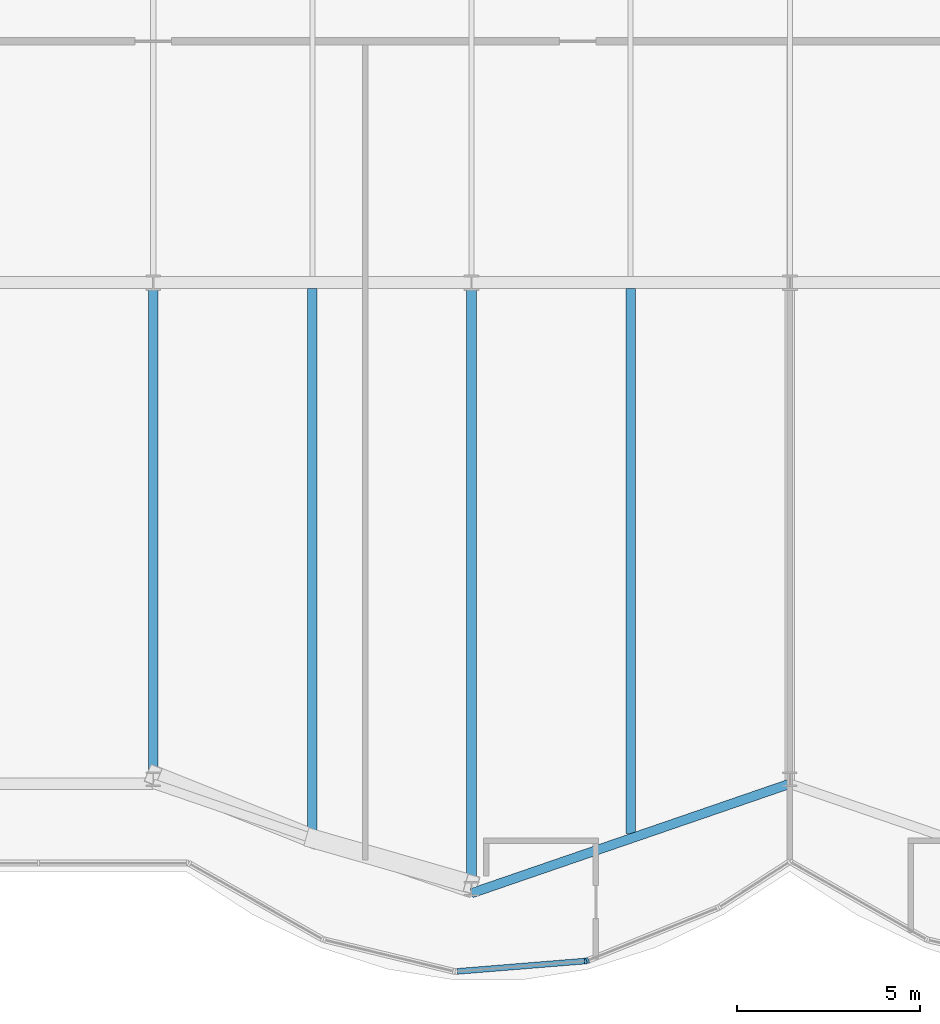
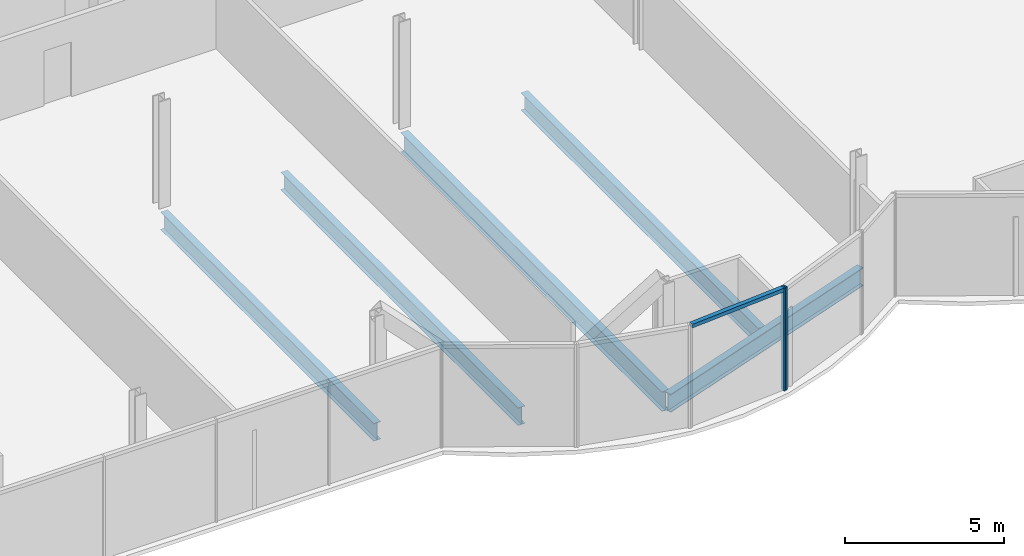
# One storey, part 5 of 21: 5 beams, 3 members, 1 element without a shape of its own.
"""IFC4 building model written with IfcOpenShell, lengths in metres."""

from ifc_helpers import new_model, si_unit, direction, frame, origin, origin_2d, place, context, subcontext, project, spatial, rectangle, i_section, extrude, material, material_profile, profile_set, type_object, element, aggregate, save


model = new_model("IFC4")

# Units and contexts
model_context = context("Model", 3, precision=1e-05, world=origin(), true_north=direction((0.0, 1.0)))
body_context = subcontext(model_context, "Body", "Model", "MODEL_VIEW")
ifc_project = project(units=[si_unit("LENGTHUNIT", "METRE"), si_unit("AREAUNIT", "SQUARE_METRE"), si_unit("VOLUMEUNIT", "CUBIC_METRE"), si_unit("PLANEANGLEUNIT", "RADIAN"), si_unit("MASSUNIT", "GRAM", prefix="KILO")], contexts=[model_context])

# Site, building, storey
site_placement = place(None, origin())
site = spatial("IfcSite", under=ifc_project, at=site_placement, CompositionType="ELEMENT")
building_placement = place(site_placement, origin())
building = spatial("IfcBuilding", under=site, at=building_placement, Name="Bicima Exchange Tower", CompositionType="ELEMENT")
storey_placement = place(building_placement, frame((0.0, 0.0, 106.300048828125)))
storey = spatial("IfcBuildingStorey", under=building, at=storey_placement, Name="L22", CompositionType="ELEMENT", Elevation=106.300048828125)

# Beams
ifc_material_1 = material(Name="Steel ASTM A992 Gr 50", Category="steel")
ifc_material_profile_1 = material_profile(ifc_material_1, i_section(OverallWidth=0.25390625, OverallDepth=0.67822265625, WebThickness=0.01171875, FlangeThickness=0.016357421875, at=origin_2d()))
ifc_profile_set_1 = profile_set([ifc_material_profile_1], Name="Steel ASTM A992 Gr 50")
beam_type_1 = type_object("IfcBeamType", Name="Floor beam W27x84", PredefinedType="JOIST", material=ifc_profile_set_1)
beam_1_placement = place(storey_placement, frame((-17.39990234375, -22.16259765625, -0.4892578125), z_axis=(0.0, -1.0, 0.0), x_axis=(1.0, 0.0, 0.0)))
element("IfcBeam", 1, at=beam_1_placement, inside=storey, type_object=beam_type_1, Name="Floor beam", PredefinedType="JOIST", context=body_context, shape_type="SweptSolid", body=[
    extrude(i_section(OverallWidth=0.25390625, OverallDepth=0.67822265625, WebThickness=0.01171875, FlangeThickness=0.016357421875, at=origin_2d()), origin(), (0.0, 0.0, 1.0), 13.370849609375),
])
for number, where, z_axis, x_axis, name in (
    (2, (-13.050048828125, -22.16259765625, -0.4892578125), (0.0, -1.0, 0.0), (1.0, 0.0, 0.0), "Floor beam"),
    (3, (-4.35009765625, -22.16259765625, -0.4892578125), (0.0, -1.0, 0.0), (1.0, 0.0, 0.0), "Floor beam"),
):
    element("IfcBeam", number, at=place(storey_placement, frame(where, z_axis=z_axis, x_axis=x_axis)), inside=storey, type_object=beam_type_1, Name=name, PredefinedType="JOIST", context=body_context, shape_type="SweptSolid", body=[
        extrude(i_section(OverallWidth=0.25390625, OverallDepth=0.67822265625, WebThickness=0.01171875, FlangeThickness=0.016357421875, at=origin_2d()), origin(), (0.0, 0.0, 1.0), 14.893310546875),
    ])
ifc_material_profile_2 = material_profile(ifc_material_1, i_section(OverallWidth=0.2666015625, OverallDepth=0.75439453125, WebThickness=0.01318359375, FlangeThickness=0.01708984375, at=origin_2d()))
ifc_profile_set_2 = profile_set([ifc_material_profile_2], Name="Steel ASTM A992 Gr 50")
beam_type_2 = type_object("IfcBeamType", Name="Floor beam W30x99", PredefinedType="JOIST", material=ifc_profile_set_2)
beam_2_placement = place(storey_placement, frame((-8.699951171875, -22.16259765625, -0.52734375), z_axis=(0.0, -1.0, 0.0), x_axis=(1.0, 0.0, 0.0)))
element("IfcBeam", 4, at=beam_2_placement, inside=storey, type_object=beam_type_2, Name="Floor beam", PredefinedType="JOIST", context=body_context, shape_type="SweptSolid", body=[
    extrude(i_section(OverallWidth=0.2666015625, OverallDepth=0.75439453125, WebThickness=0.01318359375, FlangeThickness=0.01708984375, at=origin_2d()), origin(), (0.0, 0.0, 1.0), 16.388916015625),
])
ifc_material_profile_3 = material_profile(ifc_material_1, i_section(OverallWidth=0.256591796875, OverallDepth=0.693359375, WebThickness=0.014404296875, FlangeThickness=0.023681640625, at=origin_2d()))
ifc_profile_set_3 = profile_set([ifc_material_profile_3], Name="Steel ASTM A992 Gr 50")
beam_type_3 = type_object("IfcBeamType", Name="Front girder W27x114", PredefinedType="BEAM", material=ifc_profile_set_3)
beam_3_placement = place(storey_placement, frame((-8.699951171875, -38.68701171875, -0.496826171875), z_axis=(0.945674616091, 0.32511462668, 0.0), x_axis=(-0.32511462668, 0.945674616091, 0.0)))
element("IfcBeam", 5, at=beam_3_placement, inside=storey, type_object=beam_type_3, Name="Front girder", PredefinedType="BEAM", context=body_context, shape_type="SweptSolid", body=[
    extrude(i_section(OverallWidth=0.256591796875, OverallDepth=0.693359375, WebThickness=0.014404296875, FlangeThickness=0.023681640625, at=origin_2d()), origin(), (0.0, 0.0, 1.0), 9.19970703125),
])

# Curtain wall, members
ifc_material_2 = material(Name="Anodised bronze aluminium", Category="aluminium")
curtain_wall_type = type_object("IfcCurtainWallType", Name="Front glass wall", PredefinedType="NOTDEFINED", material=ifc_material_2)
curtain_wall_placement = place(storey_placement, origin())
curtain_wall = element("IfcCurtainWall", 6, at=curtain_wall_placement, inside=storey, type_object=curtain_wall_type, Name="Front glass wall L22 run 6", PredefinedType="NOTDEFINED")
ifc_material_profile_4 = material_profile(ifc_material_2, rectangle(XDim=0.159912109375, YDim=0.06005859375, at=origin_2d()))
ifc_profile_set_4 = profile_set([ifc_material_profile_4], Name="Anodised bronze aluminium")
member_type_1 = type_object("IfcMemberType", Name="Front glass wall mullion 60 x 160", PredefinedType="MULLION", material=ifc_profile_set_4)
member_1_placement = place(storey_placement, frame((-5.583984375, -40.540771484375, 0.0), z_axis=(0.0, 0.0, 1.0), x_axis=(-0.080588612633, 0.99674744821, 0.0)))
member_1 = element("IfcMember", 7, at=member_1_placement, type_object=member_type_1, Name="Front glass wall mullion 2", PredefinedType="MULLION", context=body_context, shape_type="SweptSolid", body=[
    extrude(rectangle(XDim=0.159912109375, YDim=0.06005859375, at=origin_2d()), origin(), (0.0, 0.0, 1.0), 3.949951171875),
])
member_2_placement = place(storey_placement, frame((-5.526123046875, -40.527099609375, 0.0), z_axis=(0.0, 0.0, 1.0), x_axis=(-0.374705304, 0.92714396679, 0.0)))
member_2 = element("IfcMember", 8, at=member_2_placement, type_object=member_type_1, Name="Front glass wall mullion 1", PredefinedType="MULLION", context=body_context, shape_type="SweptSolid", body=[
    extrude(rectangle(XDim=0.159912109375, YDim=0.06005859375, at=origin_2d()), origin(), (0.0, 0.0, 1.0), 3.949951171875),
])
ifc_material_profile_5 = material_profile(ifc_material_2, rectangle(XDim=0.159912109375, YDim=0.139892578125, at=origin_2d()))
ifc_profile_set_5 = profile_set([ifc_material_profile_5], Name="Anodised bronze aluminium")
member_type_2 = type_object("IfcMemberType", Name="Front glass wall transom 140 x 160", PredefinedType="USERDEFINED", material=ifc_profile_set_5)
member_3_placement = place(storey_placement, frame((-9.08837890625, -40.82421875, 3.8798828125), z_axis=(0.9967456465, 0.080610893699, 0.0), x_axis=(-0.080610893699, 0.9967456465, 0.0)))
member_3 = element("IfcMember", 9, at=member_3_placement, type_object=member_type_2, Name="Front glass wall transom 1.1", ObjectType="TRANSOM", PredefinedType="USERDEFINED", context=body_context, shape_type="SweptSolid", body=[
    extrude(rectangle(XDim=0.159912109375, YDim=0.139892578125, at=origin_2d()), origin(), (0.0, 0.0, 1.0), 3.48583984375),
])
aggregate(curtain_wall, [member_1, member_3, member_2])

save(model, "model.ifc")
